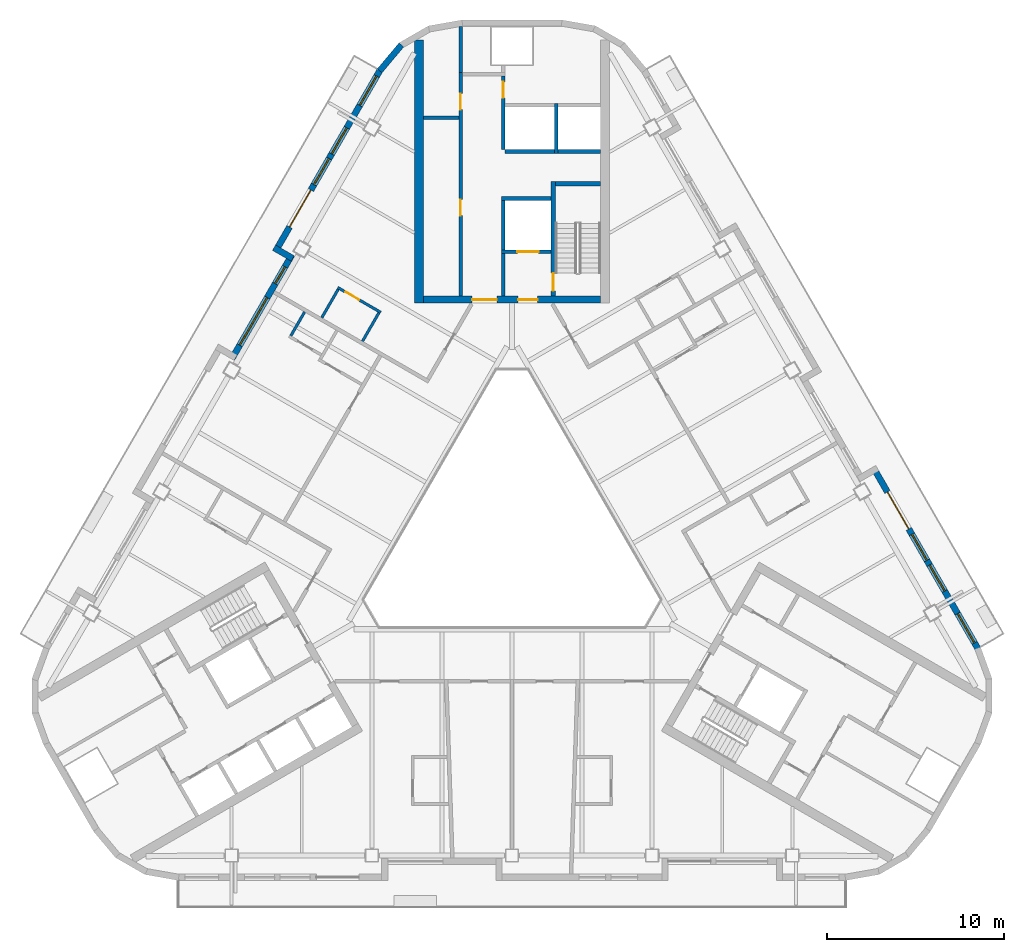
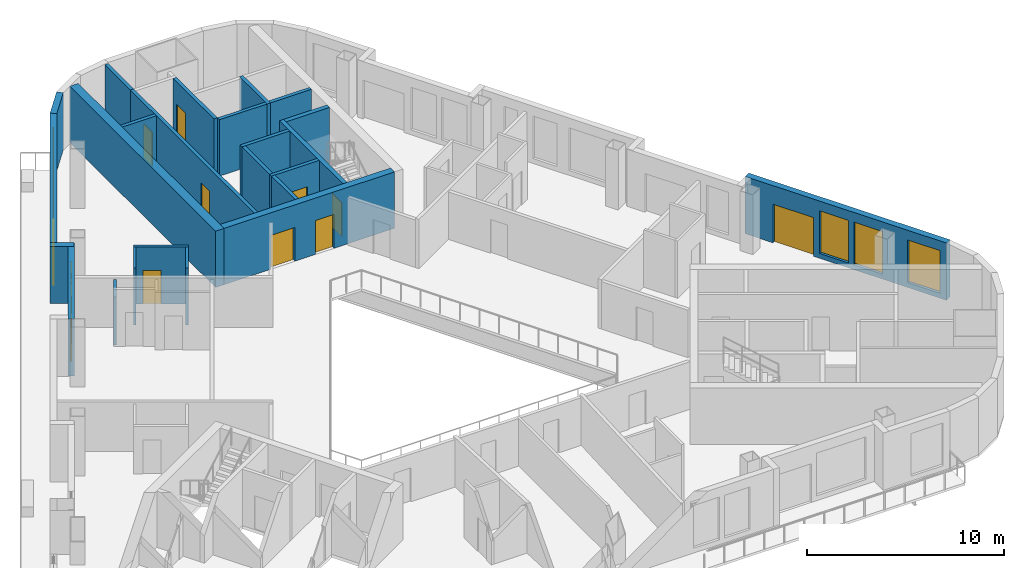
# One storey, part 6 of 13: 24 walls, 10 doors, 8 windows, 18 openings.
"""IFC4 building model written with IfcOpenShell, lengths in metres."""

from ifc_helpers import new_model, si_unit, direction, frame, frame_2d, origin, place, context, subcontext, project, spatial, rectangle, extrude, material, layer, layer_set, type_object, element, fill, save


model = new_model("IFC4")

# Units and contexts
model_context = context("Model", 3, precision=1e-05, world=origin(), true_north=direction((0.0, 1.0)))
body_context = subcontext(model_context, "Body", "Model", "MODEL_VIEW")
ifc_project = project(units=[si_unit("LENGTHUNIT", "METRE"), si_unit("AREAUNIT", "SQUARE_METRE"), si_unit("VOLUMEUNIT", "CUBIC_METRE"), si_unit("PLANEANGLEUNIT", "RADIAN"), si_unit("MASSUNIT", "GRAM", prefix="KILO")], contexts=[model_context])

# Site, building, storey
site_placement = place(None, origin())
site = spatial("IfcSite", under=ifc_project, at=site_placement, CompositionType="ELEMENT")
building_placement = place(site_placement, origin())
building = spatial("IfcBuilding", under=site, at=building_placement, Name="Apuvela Tower Hotel", CompositionType="ELEMENT")
storey_placement = place(building_placement, frame((0.0, 0.0, 187.300048828125)))
storey = spatial("IfcBuildingStorey", under=building, at=storey_placement, Name="L45", CompositionType="ELEMENT", Elevation=187.300048828125)

# Wall, openings, doors
ifc_material_1 = material(Name="Concrete C50/60", Category="concrete")
ifc_layer_1 = layer(ifc_material_1, 0.39990234375)
ifc_layer_set_1 = layer_set([ifc_layer_1], Name="COR-WALL-CORE-400")
wall_type_1 = type_object("IfcWallType", Name="COR-WALL-CORE-400", PredefinedType="SHEAR", material=ifc_layer_set_1)
wall_1_placement = place(storey_placement, frame((5.0, 13.10009765625, 0.0), z_axis=(0.0, 0.0, 1.0), x_axis=(-1.0, 0.0, 0.0)))
wall_1 = element("IfcWall", 1, at=wall_1_placement, inside=storey, type_object=wall_type_1, Name="Core wall N", PredefinedType="SHEAR", context=body_context, shape_type="SweptSolid", body=[
    extrude(rectangle(XDim=10.0, YDim=0.39990234375, at=frame_2d((5.0, 0.0))), origin(), (0.0, 0.0, 1.0), 3.5),
])
opening_1_placement = place(wall_1_placement, frame((3.550048828125, 0.0, 0.0)))
opening_1 = element("IfcOpeningElement", 2, at=opening_1_placement, cuts=wall_1, Name="Opening N-FD", PredefinedType="OPENING", context=body_context, shape_type="SweptSolid", body=[
    extrude(rectangle(XDim=1.10009765625, YDim=2.10009765625, at=frame_2d((0.550048828125, 1.050048828125))), frame((0.0, 0.2099609375, 0.0), z_axis=(0.0, -1.0, 0.0), x_axis=(1.0, 0.0, 0.0)), (0.0, 0.0, 1.0), 0.419921875),
])
opening_2_placement = place(wall_1_placement, frame((5.85009765625, 0.0, 0.0)))
opening_2 = element("IfcOpeningElement", 3, at=opening_2_placement, cuts=wall_1, Name="Opening N-GD", PredefinedType="OPENING", context=body_context, shape_type="SweptSolid", body=[
    extrude(rectangle(XDim=1.39990234375, YDim=2.10009765625, at=frame_2d((0.699951171875, 1.050048828125))), frame((0.0, 0.2099609375, 0.0), z_axis=(0.0, -1.0, 0.0), x_axis=(1.0, 0.0, 0.0)), (0.0, 0.0, 1.0), 0.419921875),
])
ifc_material_2 = material(Name="Steel fire door, powder coated", Category="steel")
door_type_1 = type_object("IfcDoorType", Name="COR-FD-1100", OperationType="NOTDEFINED", PredefinedType="DOOR", material=ifc_material_2)
door_1_placement = place(opening_1_placement, frame((1.10009765625, 0.0, 0.0), z_axis=(0.0, 0.0, 1.0), x_axis=(-1.0, 0.0, 0.0)))
door_1 = element("IfcDoor", 4, at=door_1_placement, inside=storey, type_object=door_type_1, Name="Firefighting lobby door N-FD", OperationType="SINGLE_SWING_LEFT", OverallHeight=2.10009765625, OverallWidth=1.10009765625, PredefinedType="DOOR", context=body_context, shape_type="SweptSolid", body=[
    extrude(rectangle(XDim=1.10009765625, YDim=2.10009765625, at=frame_2d((0.550048828125, 1.050048828125))), frame((0.0, 0.02490234375, 0.0), z_axis=(0.0, -1.0, 0.0), x_axis=(1.0, 0.0, 0.0)), (0.0, 0.0, 1.0), 0.050048828125),
])
fill(opening_1, door_1)
ifc_material_3 = material(Name="Glazed steel fire door", Category="steel")
door_type_2 = type_object("IfcDoorType", Name="COR-GD-1400", OperationType="DOUBLE_DOOR_SINGLE_SWING", PredefinedType="DOOR", material=ifc_material_3)
door_2_placement = place(opening_2_placement, frame((1.39990234375, 0.0, 0.0), z_axis=(0.0, 0.0, 1.0), x_axis=(-1.0, 0.0, 0.0)))
door_2 = element("IfcDoor", 5, at=door_2_placement, inside=storey, type_object=door_type_2, Name="Lift lobby door N-GD", OperationType="DOUBLE_DOOR_SINGLE_SWING", OverallHeight=2.10009765625, OverallWidth=1.39990234375, PredefinedType="DOOR", context=body_context, shape_type="SweptSolid", body=[
    extrude(rectangle(XDim=1.39990234375, YDim=2.10009765625, at=frame_2d((0.699951171875, 1.050048828125))), frame((0.0, 0.02490234375, 0.0), z_axis=(0.0, -1.0, 0.0), x_axis=(1.0, 0.0, 0.0)), (0.0, 0.0, 1.0), 0.050048828125),
])
fill(opening_2, door_2)

# Walls
ifc_layer_2 = layer(ifc_material_1, 0.5)
ifc_layer_set_2 = layer_set([ifc_layer_2], Name="COR-WALL-CORE-500")
wall_type_2 = type_object("IfcWallType", Name="COR-WALL-CORE-500", PredefinedType="SHEAR", material=ifc_layer_set_2)
wall_2_placement = place(storey_placement, frame((-5.25, 12.89990234375, 0.0), z_axis=(0.0, 0.0, 1.0), x_axis=(0.0, 1.0, 0.0)))
element("IfcWall", 6, at=wall_2_placement, inside=storey, type_object=wall_type_2, Name="Core wall N", PredefinedType="SHEAR", context=body_context, shape_type="SweptSolid", body=[
    extrude(rectangle(XDim=14.8369140625, YDim=0.5, at=frame_2d((7.41845703125, 0.0))), origin(), (0.0, 0.0, 1.0), 3.5),
])
ifc_material_4 = material(Name="Blockwork 200 mm plastered", Category="masonry")
ifc_layer_3 = layer(ifc_material_4, 0.199951171875)
ifc_layer_set_3 = layer_set([ifc_layer_3], Name="COR-WALL-PART-200")
wall_type_3 = type_object("IfcWallType", Name="COR-WALL-PART-200", PredefinedType="PARTITIONING", material=ifc_layer_set_3)
wall_3_placement = place(storey_placement, frame((5.0, 21.449951171875, 0.0), z_axis=(0.0, 0.0, 1.0), x_axis=(-1.0, 0.0, 0.0)))
element("IfcWall", 7, at=wall_3_placement, inside=storey, type_object=wall_type_3, Name="Partition N", PredefinedType="PARTITIONING", context=body_context, shape_type="SweptSolid", body=[
    extrude(rectangle(XDim=2.39990234375, YDim=0.199951171875, at=frame_2d((1.199951171875, 0.0))), origin(), (0.0, 0.0, 1.0), 3.5),
])
wall_4_placement = place(storey_placement, frame((2.39990234375, 21.449951171875, 0.0), z_axis=(0.0, 0.0, 1.0), x_axis=(-1.0, 0.0, 0.0)))
element("IfcWall", 8, at=wall_4_placement, inside=storey, type_object=wall_type_3, Name="Partition N", PredefinedType="PARTITIONING", context=body_context, shape_type="SweptSolid", body=[
    extrude(rectangle(XDim=2.7998046875, YDim=0.199951171875, at=frame_2d((1.39990234375, 0.0))), origin(), (0.0, 0.0, 1.0), 3.5),
])
ifc_layer_4 = layer(ifc_material_1, 0.199951171875)
ifc_layer_set_4 = layer_set([ifc_layer_4], Name="COR-WALL-SHAFT-200")
wall_type_4 = type_object("IfcWallType", Name="COR-WALL-SHAFT-200", PredefinedType="SHEAR", material=ifc_layer_set_4)
wall_5_placement = place(storey_placement, frame((2.199951171875, 18.800048828125, 0.0), z_axis=(0.0, 0.0, 1.0), x_axis=(-1.0, 0.0, 0.0)))
element("IfcWall", 9, at=wall_5_placement, inside=storey, type_object=wall_type_4, Name="Shaft wall N", PredefinedType="SHEAR", context=body_context, shape_type="SweptSolid", body=[
    extrude(rectangle(XDim=2.800048828125, YDim=0.199951171875, at=frame_2d((1.39990234375, 0.0))), origin(), (0.0, 0.0, 1.0), 3.5),
])

# Wall, opening, door
wall_6_placement = place(storey_placement, frame((2.199951171875, 15.800048828125, 0.0), z_axis=(0.0, 0.0, 1.0), x_axis=(-1.0, 0.0, 0.0)))
wall_6 = element("IfcWall", 10, at=wall_6_placement, inside=storey, type_object=wall_type_4, Name="Shaft wall N", PredefinedType="SHEAR", context=body_context, shape_type="SweptSolid", body=[
    extrude(rectangle(XDim=2.800048828125, YDim=0.199951171875, at=frame_2d((1.39990234375, 0.0))), origin(), (0.0, 0.0, 1.0), 3.5),
])
opening_3_placement = place(wall_6_placement, frame((0.699951171875, 0.0, 0.0)))
opening_3 = element("IfcOpeningElement", 11, at=opening_3_placement, cuts=wall_6, Name="Opening N-LD-FS1", PredefinedType="OPENING", context=body_context, shape_type="SweptSolid", body=[
    extrude(rectangle(XDim=1.199951171875, YDim=2.10009765625, at=frame_2d((0.60009765625, 1.050048828125))), frame((0.0, 0.10986328125, 0.0), z_axis=(0.0, -1.0, 0.0), x_axis=(1.0, 0.0, 0.0)), (0.0, 0.0, 1.0), 0.219970703125),
])
ifc_material_5 = material(Name="Stainless steel lift landing door", Category="steel")
door_type_3 = type_object("IfcDoorType", Name="COR-LD-1200", OperationType="DOUBLE_DOOR_SLIDING", PredefinedType="DOOR", material=ifc_material_5)
door_3_placement = place(opening_3_placement, origin())
door_3 = element("IfcDoor", 12, at=door_3_placement, inside=storey, type_object=door_type_3, Name="Lift landing door N-LD-FS1", OperationType="DOUBLE_DOOR_SLIDING", OverallHeight=2.10009765625, OverallWidth=1.199951171875, PredefinedType="DOOR", context=body_context, shape_type="SweptSolid", body=[
    extrude(rectangle(XDim=1.199951171875, YDim=2.10009765625, at=frame_2d((0.60009765625, 1.050048828125))), frame((0.0, 0.02490234375, 0.0), z_axis=(0.0, -1.0, 0.0), x_axis=(1.0, 0.0, 0.0)), (0.0, 0.0, 1.0), 0.050048828125),
])
fill(opening_3, door_3)

# Walls
wall_7_placement = place(storey_placement, frame((-0.5, 15.89990234375, 0.0), z_axis=(0.0, 0.0, 1.0), x_axis=(0.0, 1.0, 0.0)))
element("IfcWall", 13, at=wall_7_placement, inside=storey, type_object=wall_type_4, Name="Shaft wall N", PredefinedType="SHEAR", context=body_context, shape_type="SweptSolid", body=[
    extrude(rectangle(XDim=2.800048828125, YDim=0.199951171875, at=frame_2d((1.39990234375, 0.0))), origin(), (0.0, 0.0, 1.0), 3.5),
])
wall_8_placement = place(storey_placement, frame((-0.5, 13.300048828125, 0.0), z_axis=(0.0, 0.0, 1.0), x_axis=(0.0, 1.0, 0.0)))
element("IfcWall", 14, at=wall_8_placement, inside=storey, type_object=wall_type_4, Name="Shaft wall N", PredefinedType="SHEAR", context=body_context, shape_type="SweptSolid", body=[
    extrude(rectangle(XDim=2.39990234375, YDim=0.199951171875, at=frame_2d((1.199951171875, 0.0))), origin(), (0.0, 0.0, 1.0), 3.5),
])

# Wall, openings, doors
wall_9_placement = place(storey_placement, frame((-2.89990234375, 13.300048828125, 0.0), z_axis=(0.0, 0.0, 1.0), x_axis=(0.0, 1.0, 0.0)))
wall_9 = element("IfcWall", 15, at=wall_9_placement, inside=storey, type_object=wall_type_4, Name="Shaft wall N", PredefinedType="SHEAR", context=body_context, shape_type="SweptSolid", body=[
    extrude(rectangle(XDim=12.599853515625, YDim=0.199951171875, at=frame_2d((6.2998046875, 0.0))), origin(), (0.0, 0.0, 1.0), 3.5),
])
opening_4_placement = place(wall_9_placement, frame((4.530029296875, 0.0, 0.0)))
opening_4 = element("IfcOpeningElement", 16, at=opening_4_placement, cuts=wall_9, Name="Opening N-RE1", PredefinedType="OPENING", context=body_context, shape_type="SweptSolid", body=[
    extrude(rectangle(XDim=0.89990234375, YDim=2.10009765625, at=frame_2d((0.449951171875, 1.050048828125))), frame((0.0, 0.10986328125, 0.0), z_axis=(0.0, -1.0, 0.0), x_axis=(1.0, 0.0, 0.0)), (0.0, 0.0, 1.0), 0.219970703125),
])
opening_5_placement = place(wall_9_placement, frame((10.510009765625, 0.0, 0.0)))
opening_5 = element("IfcOpeningElement", 17, at=opening_5_placement, cuts=wall_9, Name="Opening N-REP", PredefinedType="OPENING", context=body_context, shape_type="SweptSolid", body=[
    extrude(rectangle(XDim=0.89990234375, YDim=2.10009765625, at=frame_2d((0.449951171875, 1.050048828125))), frame((0.0, 0.10986328125, 0.0), z_axis=(0.0, -1.0, 0.0), x_axis=(1.0, 0.0, 0.0)), (0.0, 0.0, 1.0), 0.219970703125),
])
door_type_4 = type_object("IfcDoorType", Name="COR-DR-900", OperationType="NOTDEFINED", PredefinedType="DOOR", material=ifc_material_2)
door_4_placement = place(opening_4_placement, origin())
door_4 = element("IfcDoor", 18, at=door_4_placement, inside=storey, type_object=door_type_4, Name="Store door N-RE1", OperationType="SINGLE_SWING_LEFT", OverallHeight=2.10009765625, OverallWidth=0.89990234375, PredefinedType="DOOR", context=body_context, shape_type="SweptSolid", body=[
    extrude(rectangle(XDim=0.89990234375, YDim=2.10009765625, at=frame_2d((0.449951171875, 1.050048828125))), frame((0.0, 0.02490234375, 0.0), z_axis=(0.0, -1.0, 0.0), x_axis=(1.0, 0.0, 0.0)), (0.0, 0.0, 1.0), 0.050048828125),
])
fill(opening_4, door_4)
door_5_placement = place(opening_5_placement, origin())
door_5 = element("IfcDoor", 19, at=door_5_placement, inside=storey, type_object=door_type_4, Name="Store door N-REP", OperationType="SINGLE_SWING_RIGHT", OverallHeight=2.10009765625, OverallWidth=0.89990234375, PredefinedType="DOOR", context=body_context, shape_type="SweptSolid", body=[
    extrude(rectangle(XDim=0.89990234375, YDim=2.10009765625, at=frame_2d((0.449951171875, 1.050048828125))), frame((0.0, 0.02490234375, 0.0), z_axis=(0.0, -1.0, 0.0), x_axis=(1.0, 0.0, 0.0)), (0.0, 0.0, 1.0), 0.050048828125),
])
fill(opening_5, door_5)

# Wall, opening, door
wall_10_placement = place(storey_placement, frame((-0.5, 21.550048828125, 0.0), z_axis=(0.0, 0.0, 1.0), x_axis=(0.0, 1.0, 0.0)))
wall_10 = element("IfcWall", 20, at=wall_10_placement, inside=storey, type_object=wall_type_4, Name="Shaft wall N", PredefinedType="SHEAR", context=body_context, shape_type="SweptSolid", body=[
    extrude(rectangle(XDim=4.14990234375, YDim=0.199951171875, at=frame_2d((2.074951171875, 0.0))), origin(), (0.0, 0.0, 1.0), 3.5),
])
opening_6_placement = place(wall_10_placement, frame((2.925048828125, 0.0, 0.0)))
opening_6 = element("IfcOpeningElement", 21, at=opening_6_placement, cuts=wall_10, Name="Opening N-RSP", PredefinedType="OPENING", context=body_context, shape_type="SweptSolid", body=[
    extrude(rectangle(XDim=0.89990234375, YDim=2.10009765625, at=frame_2d((0.449951171875, 1.050048828125))), frame((0.0, 0.10986328125, 0.0), z_axis=(0.0, -1.0, 0.0), x_axis=(1.0, 0.0, 0.0)), (0.0, 0.0, 1.0), 0.219970703125),
])
door_6_placement = place(opening_6_placement, frame((0.89990234375, 0.0, 0.0), z_axis=(0.0, 0.0, 1.0), x_axis=(-1.0, 0.0, 0.0)))
door_6 = element("IfcDoor", 22, at=door_6_placement, inside=storey, type_object=door_type_4, Name="Store door N-RSP", OperationType="SINGLE_SWING_LEFT", OverallHeight=2.10009765625, OverallWidth=0.89990234375, PredefinedType="DOOR", context=body_context, shape_type="SweptSolid", body=[
    extrude(rectangle(XDim=0.89990234375, YDim=2.10009765625, at=frame_2d((0.449951171875, 1.050048828125))), frame((0.0, 0.02490234375, 0.0), z_axis=(0.0, -1.0, 0.0), x_axis=(1.0, 0.0, 0.0)), (0.0, 0.0, 1.0), 0.050048828125),
])
fill(opening_6, door_6)

# Walls
wall_11_placement = place(storey_placement, frame((-3.0, 23.360107421875, 0.0), z_axis=(0.0, 0.0, 1.0), x_axis=(-1.0, 0.0, 0.0)))
element("IfcWall", 23, at=wall_11_placement, inside=storey, type_object=wall_type_4, Name="Shaft wall N", PredefinedType="SHEAR", context=body_context, shape_type="SweptSolid", body=[
    extrude(rectangle(XDim=2.0, YDim=0.199951171875, at=frame_2d((1.0, 0.0))), origin(), (0.0, 0.0, 1.0), 3.5),
])
wall_12_placement = place(storey_placement, frame((-2.89990234375, 25.89990234375, 0.0), z_axis=(0.0, 0.0, 1.0), x_axis=(0.0, 1.0, 0.0)))
element("IfcWall", 24, at=wall_12_placement, inside=storey, type_object=wall_type_4, Name="Shaft wall N", PredefinedType="SHEAR", context=body_context, shape_type="SweptSolid", body=[
    extrude(rectangle(XDim=2.60009765625, YDim=0.199951171875, at=frame_2d((1.300048828125, 0.0))), origin(), (0.0, 0.0, 1.0), 3.5),
])
wall_13_placement = place(storey_placement, frame((2.5, 21.35009765625, 0.0), z_axis=(0.0, 0.0, 1.0), x_axis=(0.0, 1.0, 0.0)))
element("IfcWall", 25, at=wall_13_placement, inside=storey, type_object=wall_type_4, Name="Shaft wall N", PredefinedType="SHEAR", context=body_context, shape_type="SweptSolid", body=[
    extrude(rectangle(XDim=2.7998046875, YDim=0.199951171875, at=frame_2d((1.39990234375, 0.0))), origin(), (0.0, 0.0, 1.0), 3.5),
])

# Wall, opening, door
ifc_layer_5 = layer(ifc_material_1, 0.25)
ifc_layer_set_5 = layer_set([ifc_layer_5], Name="COR-WALL-STAIR-250")
wall_type_5 = type_object("IfcWallType", Name="COR-WALL-STAIR-250", PredefinedType="SHEAR", material=ifc_layer_set_5)
wall_14_placement = place(storey_placement, frame((2.324951171875, 13.300048828125, 0.0), z_axis=(0.0, 0.0, 1.0), x_axis=(0.0, 1.0, 0.0)))
wall_14 = element("IfcWall", 26, at=wall_14_placement, inside=storey, type_object=wall_type_5, Name="Stair wall N", PredefinedType="SHEAR", context=body_context, shape_type="SweptSolid", body=[
    extrude(rectangle(XDim=6.449951171875, YDim=0.25, at=frame_2d((3.22509765625, 0.0))), origin(), (0.0, 0.0, 1.0), 3.5),
])
opening_7_placement = place(wall_14_placement, frame((0.300048828125, 0.0, 0.0)))
opening_7 = element("IfcOpeningElement", 27, at=opening_7_placement, cuts=wall_14, Name="Opening N-SD", PredefinedType="OPENING", context=body_context, shape_type="SweptSolid", body=[
    extrude(rectangle(XDim=1.0, YDim=2.10009765625, at=frame_2d((0.5, 1.050048828125))), frame((0.0, 0.135009765625, 0.0), z_axis=(0.0, -1.0, 0.0), x_axis=(1.0, 0.0, 0.0)), (0.0, 0.0, 1.0), 0.27001953125),
])
door_type_5 = type_object("IfcDoorType", Name="COR-SD-1000", OperationType="NOTDEFINED", PredefinedType="DOOR", material=ifc_material_2)
door_7_placement = place(opening_7_placement, frame((1.0, 0.0, 0.0), z_axis=(0.0, 0.0, 1.0), x_axis=(-1.0, 0.0, 0.0)))
door_7 = element("IfcDoor", 28, at=door_7_placement, inside=storey, type_object=door_type_5, Name="Stair door N-SD", OperationType="SINGLE_SWING_LEFT", OverallHeight=2.10009765625, OverallWidth=1.0, PredefinedType="DOOR", context=body_context, shape_type="SweptSolid", body=[
    extrude(rectangle(XDim=1.0, YDim=2.10009765625, at=frame_2d((0.5, 1.050048828125))), frame((0.0, 0.02490234375, 0.0), z_axis=(0.0, -1.0, 0.0), x_axis=(1.0, 0.0, 0.0)), (0.0, 0.0, 1.0), 0.050048828125),
])
fill(opening_7, door_7)

# Wall
wall_15_placement = place(storey_placement, frame((5.0, 19.625, 0.0), z_axis=(0.0, 0.0, 1.0), x_axis=(-1.0, 0.0, 0.0)))
element("IfcWall", 29, at=wall_15_placement, inside=storey, type_object=wall_type_5, Name="Stair wall N", PredefinedType="SHEAR", context=body_context, shape_type="SweptSolid", body=[
    extrude(rectangle(XDim=2.550048828125, YDim=0.25, at=frame_2d((1.27490234375, 0.0))), origin(), (0.0, 0.0, 1.0), 3.5),
])

# Wall, openings, door, windows
ifc_material_6 = material(Name="Concrete C40/50, dark pigmented precast panel", Category="concrete")
ifc_layer_6 = layer(ifc_material_6, 0.35009765625)
ifc_layer_set_6 = layer_set([ifc_layer_6], Name="ENV-WALL-350")
wall_type_6 = type_object("IfcWallType", Name="ENV-WALL-350", PredefinedType="SOLIDWALL", material=ifc_layer_set_6)
wall_16_placement = place(storey_placement, frame((-7.440673828125, 26.0224609375, 0.0), z_axis=(0.0, 0.0, 1.0), x_axis=(-0.499992533062, -0.86602971478, 0.0)))
wall_16 = element("IfcWall", 30, at=wall_16_placement, inside=storey, type_object=wall_type_6, Name="External wall L45-01", PredefinedType="SOLIDWALL", context=body_context, shape_type="SweptSolid", body=[
    extrude(rectangle(XDim=11.815673828125, YDim=0.35009765625, at=frame_2d((5.90771484375, 0.0))), origin(), (0.0, 0.0, 1.0), 3.550048828125),
])
opening_8_placement = place(wall_16_placement, frame((0.381103515625, 0.0, 0.300048828125)))
opening_8 = element("IfcOpeningElement", 31, at=opening_8_placement, cuts=wall_16, Name="Opening WN19", PredefinedType="OPENING", context=body_context, shape_type="SweptSolid", body=[
    extrude(rectangle(XDim=1.89990234375, YDim=2.64990234375, at=frame_2d((0.949951171875, 1.324951171875))), frame((0.0, 0.18505859375, 0.0), z_axis=(0.0, -1.0, 0.0), x_axis=(1.0, 0.0, 0.0)), (0.0, 0.0, 1.0), 0.3701171875),
])
opening_9_placement = place(wall_16_placement, frame((7.79052734375, 0.0, 0.0)))
opening_9 = element("IfcOpeningElement", 32, at=opening_9_placement, cuts=wall_16, Name="Opening BD24", PredefinedType="OPENING", context=body_context, shape_type="SweptSolid", body=[
    extrude(rectangle(XDim=2.39990234375, YDim=2.39990234375, at=frame_2d((1.199951171875, 1.199951171875))), frame((0.0, 0.18505859375, 0.0), z_axis=(0.0, -1.0, 0.0), x_axis=(1.0, 0.0, 0.0)), (0.0, 0.0, 1.0), 0.3701171875),
])
opening_10_placement = place(wall_16_placement, frame((3.7412109375, 0.0, 0.300048828125)))
opening_10 = element("IfcOpeningElement", 33, at=opening_10_placement, cuts=wall_16, Name="Opening WN17", PredefinedType="OPENING", context=body_context, shape_type="SweptSolid", body=[
    extrude(rectangle(XDim=1.699951171875, YDim=2.64990234375, at=frame_2d((0.85009765625, 1.324951171875))), frame((0.0, 0.18505859375, 0.0), z_axis=(0.0, -1.0, 0.0), x_axis=(1.0, 0.0, 0.0)), (0.0, 0.0, 1.0), 0.3701171875),
])
opening_11_placement = place(wall_16_placement, frame((5.7412109375, 0.0, 0.300048828125)))
opening_11 = element("IfcOpeningElement", 34, at=opening_11_placement, cuts=wall_16, Name="Opening WN17", PredefinedType="OPENING", context=body_context, shape_type="SweptSolid", body=[
    extrude(rectangle(XDim=1.699951171875, YDim=2.64990234375, at=frame_2d((0.85009765625, 1.324951171875))), frame((0.0, 0.18505859375, 0.0), z_axis=(0.0, -1.0, 0.0), x_axis=(1.0, 0.0, 0.0)), (0.0, 0.0, 1.0), 0.3701171875),
])
ifc_material_7 = material(Name="Aluminium 6063-T6, dark bronze anodised frame with dark tinted laminated glass", Category="aluminium")
door_type_6 = type_object("IfcDoorType", Name="ENV-DOOR-BALCONY-2400x2400", OperationType="SLIDING_TO_LEFT", PredefinedType="DOOR", material=ifc_material_7)
door_8_placement = place(opening_9_placement, frame((2.39990234375, 0.0, 0.0), z_axis=(0.0, 0.0, 1.0), x_axis=(-1.0, 0.0, 0.0)))
door_8 = element("IfcDoor", 35, at=door_8_placement, inside=storey, type_object=door_type_6, Name="Balcony door BD24", OperationType="SLIDING_TO_LEFT", OverallHeight=2.39990234375, OverallWidth=2.39990234375, PredefinedType="DOOR", context=body_context, shape_type="SweptSolid", body=[
    extrude(rectangle(XDim=2.39990234375, YDim=2.39990234375, at=frame_2d((1.199951171875, 1.199951171875))), frame((0.0, 0.02490234375, 0.0), z_axis=(0.0, -1.0, 0.0), x_axis=(1.0, 0.0, 0.0)), (0.0, 0.0, 1.0), 0.050048828125),
])
fill(opening_9, door_8)
ifc_material_8 = material(Name="Glass, dark tinted laminated insulated glazing unit", Category="glass")
window_type_1 = type_object("IfcWindowType", Name="ENV-WIN-1700x2650", PartitioningType="SINGLE_PANEL", PredefinedType="WINDOW", material=ifc_material_8)
window_1_placement = place(opening_10_placement, origin())
window_1 = element("IfcWindow", 36, at=window_1_placement, inside=storey, type_object=window_type_1, Name="Window WN17", OverallHeight=2.64990234375, OverallWidth=1.699951171875, PartitioningType="SINGLE_PANEL", PredefinedType="WINDOW", context=body_context, shape_type="SweptSolid", body=[
    extrude(rectangle(XDim=1.699951171875, YDim=2.64990234375, at=frame_2d((0.85009765625, 1.324951171875))), frame((0.0, 0.030029296875, 0.0), z_axis=(0.0, -1.0, 0.0), x_axis=(1.0, 0.0, 0.0)), (0.0, 0.0, 1.0), 0.06005859375),
])
fill(opening_10, window_1)
window_2_placement = place(opening_11_placement, origin())
window_2 = element("IfcWindow", 37, at=window_2_placement, inside=storey, type_object=window_type_1, Name="Window WN17", OverallHeight=2.64990234375, OverallWidth=1.699951171875, PartitioningType="SINGLE_PANEL", PredefinedType="WINDOW", context=body_context, shape_type="SweptSolid", body=[
    extrude(rectangle(XDim=1.699951171875, YDim=2.64990234375, at=frame_2d((0.85009765625, 1.324951171875))), frame((0.0, 0.030029296875, 0.0), z_axis=(0.0, -1.0, 0.0), x_axis=(1.0, 0.0, 0.0)), (0.0, 0.0, 1.0), 0.06005859375),
])
fill(opening_11, window_2)
window_type_2 = type_object("IfcWindowType", Name="ENV-WIN-1900x2650", PartitioningType="SINGLE_PANEL", PredefinedType="WINDOW", material=ifc_material_8)
window_3_placement = place(opening_8_placement, origin())
window_3 = element("IfcWindow", 38, at=window_3_placement, inside=storey, type_object=window_type_2, Name="Window WN19", OverallHeight=2.64990234375, OverallWidth=1.89990234375, PartitioningType="SINGLE_PANEL", PredefinedType="WINDOW", context=body_context, shape_type="SweptSolid", body=[
    extrude(rectangle(XDim=1.89990234375, YDim=2.64990234375, at=frame_2d((0.949951171875, 1.324951171875))), frame((0.0, 0.030029296875, 0.0), z_axis=(0.0, -1.0, 0.0), x_axis=(1.0, 0.0, 0.0)), (0.0, 0.0, 1.0), 0.06005859375),
])
fill(opening_8, window_3)

# Wall
wall_17_placement = place(storey_placement, frame((-13.41259765625, 16.02880859375, 0.0), z_axis=(0.0, 0.0, 1.0), x_axis=(0.866005645448, -0.500034220881, 0.0)))
element("IfcWall", 39, at=wall_17_placement, inside=storey, type_object=wall_type_6, Name="External wall L45-02", PredefinedType="SOLIDWALL", context=body_context, shape_type="SweptSolid", body=[
    extrude(rectangle(XDim=1.22021484375, YDim=0.35009765625, at=frame_2d((0.610107421875, 0.0))), origin(), (0.0, 0.0, 1.0), 3.550048828125),
])

# Wall, openings, windows
wall_18_placement = place(storey_placement, frame((-12.408935546875, 15.616943359375, 0.0), z_axis=(0.0, 0.0, 1.0), x_axis=(-0.500003597184, -0.866023326939, 0.0)))
wall_18 = element("IfcWall", 40, at=wall_18_placement, inside=storey, type_object=wall_type_6, Name="External wall L45-03", PredefinedType="SOLIDWALL", context=body_context, shape_type="SweptSolid", body=[
    extrude(rectangle(XDim=6.740234375, YDim=0.35009765625, at=frame_2d((3.3701171875, 0.0))), origin(), (0.0, 0.0, 1.0), 3.550048828125),
])
opening_12_placement = place(wall_18_placement, frame((0.77001953125, 0.0, 0.300048828125)))
opening_12 = element("IfcOpeningElement", 41, at=opening_12_placement, cuts=wall_18, Name="Opening WN11", PredefinedType="OPENING", context=body_context, shape_type="SweptSolid", body=[
    extrude(rectangle(XDim=1.10009765625, YDim=2.64990234375, at=frame_2d((0.550048828125, 1.324951171875))), frame((0.0, 0.18505859375, 0.0), z_axis=(0.0, -1.0, 0.0), x_axis=(1.0, 0.0, 0.0)), (0.0, 0.0, 1.0), 0.3701171875),
])
opening_13_placement = place(wall_18_placement, frame((2.770263671875, 0.0, 0.300048828125)))
opening_13 = element("IfcOpeningElement", 42, at=opening_13_placement, cuts=wall_18, Name="Opening WN31", PredefinedType="OPENING", context=body_context, shape_type="SweptSolid", body=[
    extrude(rectangle(XDim=3.10009765625, YDim=2.64990234375, at=frame_2d((1.550048828125, 1.324951171875))), frame((0.0, 0.18505859375, 0.0), z_axis=(0.0, -1.0, 0.0), x_axis=(1.0, 0.0, 0.0)), (0.0, 0.0, 1.0), 0.3701171875),
])
window_type_3 = type_object("IfcWindowType", Name="ENV-WIN-1100x2650", PartitioningType="SINGLE_PANEL", PredefinedType="WINDOW", material=ifc_material_8)
window_4_placement = place(opening_12_placement, origin())
window_4 = element("IfcWindow", 43, at=window_4_placement, inside=storey, type_object=window_type_3, Name="Window WN11", OverallHeight=2.64990234375, OverallWidth=1.10009765625, PartitioningType="SINGLE_PANEL", PredefinedType="WINDOW", context=body_context, shape_type="SweptSolid", body=[
    extrude(rectangle(XDim=1.10009765625, YDim=2.64990234375, at=frame_2d((0.550048828125, 1.324951171875))), frame((0.0, 0.030029296875, 0.0), z_axis=(0.0, -1.0, 0.0), x_axis=(1.0, 0.0, 0.0)), (0.0, 0.0, 1.0), 0.06005859375),
])
fill(opening_12, window_4)
window_type_4 = type_object("IfcWindowType", Name="ENV-WIN-3100x2650", PartitioningType="SINGLE_PANEL", PredefinedType="WINDOW", material=ifc_material_8)
window_5_placement = place(opening_13_placement, origin())
window_5 = element("IfcWindow", 44, at=window_5_placement, inside=storey, type_object=window_type_4, Name="Window WN31", OverallHeight=2.64990234375, OverallWidth=3.10009765625, PartitioningType="SINGLE_PANEL", PredefinedType="WINDOW", context=body_context, shape_type="SweptSolid", body=[
    extrude(rectangle(XDim=3.10009765625, YDim=2.64990234375, at=frame_2d((1.550048828125, 1.324951171875))), frame((0.0, 0.030029296875, 0.0), z_axis=(0.0, -1.0, 0.0), x_axis=(1.0, 0.0, 0.0)), (0.0, 0.0, 1.0), 0.06005859375),
])
fill(opening_13, window_5)

# Wall, openings, door, windows
wall_19_placement = place(storey_placement, frame((26.256591796875, -6.5673828125, 0.0), z_axis=(0.0, 0.0, 1.0), x_axis=(-0.500023526245, 0.866011820475, 0.0)))
wall_19 = element("IfcWall", 45, at=wall_19_placement, inside=storey, type_object=wall_type_6, Name="External wall L45-33", PredefinedType="SOLIDWALL", context=body_context, shape_type="SweptSolid", body=[
    extrude(rectangle(XDim=11.81591796875, YDim=0.35009765625, at=frame_2d((5.907958984375, 0.0))), origin(), (0.0, 0.0, 1.0), 3.550048828125),
])
opening_14_placement = place(wall_19_placement, frame((0.380126953125, 0.0, 0.300048828125)))
opening_14 = element("IfcOpeningElement", 46, at=opening_14_placement, cuts=wall_19, Name="Opening WN19", PredefinedType="OPENING", context=body_context, shape_type="SweptSolid", body=[
    extrude(rectangle(XDim=1.89990234375, YDim=2.64990234375, at=frame_2d((0.949951171875, 1.324951171875))), frame((0.0, 0.18505859375, 0.0), z_axis=(0.0, -1.0, 0.0), x_axis=(1.0, 0.0, 0.0)), (0.0, 0.0, 1.0), 0.3701171875),
])
opening_15_placement = place(wall_19_placement, frame((7.791015625, 0.0, 0.0)))
opening_15 = element("IfcOpeningElement", 47, at=opening_15_placement, cuts=wall_19, Name="Opening BD24", PredefinedType="OPENING", context=body_context, shape_type="SweptSolid", body=[
    extrude(rectangle(XDim=2.39990234375, YDim=2.39990234375, at=frame_2d((1.199951171875, 1.199951171875))), frame((0.0, 0.18505859375, 0.0), z_axis=(0.0, -1.0, 0.0), x_axis=(1.0, 0.0, 0.0)), (0.0, 0.0, 1.0), 0.3701171875),
])
opening_16_placement = place(wall_19_placement, frame((3.74072265625, 0.0, 0.300048828125)))
opening_16 = element("IfcOpeningElement", 48, at=opening_16_placement, cuts=wall_19, Name="Opening WN17", PredefinedType="OPENING", context=body_context, shape_type="SweptSolid", body=[
    extrude(rectangle(XDim=1.699951171875, YDim=2.64990234375, at=frame_2d((0.85009765625, 1.324951171875))), frame((0.0, 0.18505859375, 0.0), z_axis=(0.0, -1.0, 0.0), x_axis=(1.0, 0.0, 0.0)), (0.0, 0.0, 1.0), 0.3701171875),
])
opening_17_placement = place(wall_19_placement, frame((5.74072265625, 0.0, 0.300048828125)))
opening_17 = element("IfcOpeningElement", 49, at=opening_17_placement, cuts=wall_19, Name="Opening WN17", PredefinedType="OPENING", context=body_context, shape_type="SweptSolid", body=[
    extrude(rectangle(XDim=1.699951171875, YDim=2.64990234375, at=frame_2d((0.85009765625, 1.324951171875))), frame((0.0, 0.18505859375, 0.0), z_axis=(0.0, -1.0, 0.0), x_axis=(1.0, 0.0, 0.0)), (0.0, 0.0, 1.0), 0.3701171875),
])
door_9_placement = place(opening_15_placement, frame((2.39990234375, 0.0, 0.0), z_axis=(0.0, 0.0, 1.0), x_axis=(-1.0, 0.0, 0.0)))
door_9 = element("IfcDoor", 50, at=door_9_placement, inside=storey, type_object=door_type_6, Name="Balcony door BD24", OperationType="SLIDING_TO_LEFT", OverallHeight=2.39990234375, OverallWidth=2.39990234375, PredefinedType="DOOR", context=body_context, shape_type="SweptSolid", body=[
    extrude(rectangle(XDim=2.39990234375, YDim=2.39990234375, at=frame_2d((1.199951171875, 1.199951171875))), frame((0.0, 0.02490234375, 0.0), z_axis=(0.0, -1.0, 0.0), x_axis=(1.0, 0.0, 0.0)), (0.0, 0.0, 1.0), 0.050048828125),
])
fill(opening_15, door_9)
window_6_placement = place(opening_16_placement, origin())
window_6 = element("IfcWindow", 51, at=window_6_placement, inside=storey, type_object=window_type_1, Name="Window WN17", OverallHeight=2.64990234375, OverallWidth=1.699951171875, PartitioningType="SINGLE_PANEL", PredefinedType="WINDOW", context=body_context, shape_type="SweptSolid", body=[
    extrude(rectangle(XDim=1.699951171875, YDim=2.64990234375, at=frame_2d((0.85009765625, 1.324951171875))), frame((0.0, 0.030029296875, 0.0), z_axis=(0.0, -1.0, 0.0), x_axis=(1.0, 0.0, 0.0)), (0.0, 0.0, 1.0), 0.06005859375),
])
fill(opening_16, window_6)
window_7_placement = place(opening_17_placement, origin())
window_7 = element("IfcWindow", 52, at=window_7_placement, inside=storey, type_object=window_type_1, Name="Window WN17", OverallHeight=2.64990234375, OverallWidth=1.699951171875, PartitioningType="SINGLE_PANEL", PredefinedType="WINDOW", context=body_context, shape_type="SweptSolid", body=[
    extrude(rectangle(XDim=1.699951171875, YDim=2.64990234375, at=frame_2d((0.85009765625, 1.324951171875))), frame((0.0, 0.030029296875, 0.0), z_axis=(0.0, -1.0, 0.0), x_axis=(1.0, 0.0, 0.0)), (0.0, 0.0, 1.0), 0.06005859375),
])
fill(opening_17, window_7)
window_8_placement = place(opening_14_placement, origin())
window_8 = element("IfcWindow", 53, at=window_8_placement, inside=storey, type_object=window_type_2, Name="Window WN19", OverallHeight=2.64990234375, OverallWidth=1.89990234375, PartitioningType="SINGLE_PANEL", PredefinedType="WINDOW", context=body_context, shape_type="SweptSolid", body=[
    extrude(rectangle(XDim=1.89990234375, YDim=2.64990234375, at=frame_2d((0.949951171875, 1.324951171875))), frame((0.0, 0.030029296875, 0.0), z_axis=(0.0, -1.0, 0.0), x_axis=(1.0, 0.0, 0.0)), (0.0, 0.0, 1.0), 0.06005859375),
])
fill(opening_14, window_8)

# Wall
wall_20_placement = place(storey_placement, frame((-6.230224609375, 27.460693359375, 0.0), z_axis=(0.0, 0.0, 1.0), x_axis=(-0.642808304945, -0.766027077259, 0.0)))
element("IfcWall", 54, at=wall_20_placement, inside=storey, type_object=wall_type_6, Name="External wall L45-48", PredefinedType="SOLIDWALL", context=body_context, shape_type="SweptSolid", body=[
    extrude(rectangle(XDim=1.909912109375, YDim=0.35009765625, at=frame_2d((0.955078125, 0.0))), origin(), (0.0, 0.0, 1.0), 3.550048828125),
])

# Wall, opening, door
ifc_material_9 = material(Name="Moisture-resistant gypsum board wet wall on steel stud", Category="steel")
ifc_layer_7 = layer(ifc_material_9, 0.14990234375)
ifc_layer_set_7 = layer_set([ifc_layer_7], Name="GST-PW3")
wall_type_7 = type_object("IfcWallType", Name="GST-PW3", PredefinedType="PARTITIONING", material=ifc_layer_set_7)
wall_21_placement = place(storey_placement, frame((-7.3994140625, 12.3837890625, 0.0), z_axis=(0.0, 0.0, 1.0), x_axis=(-0.866034573852, 0.49998411664, 0.0)))
wall_21 = element("IfcWall", 55, at=wall_21_placement, inside=storey, type_object=wall_type_7, Name="L45 partition 32", PredefinedType="PARTITIONING", context=body_context, shape_type="SweptSolid", body=[
    extrude(rectangle(XDim=2.7998046875, YDim=0.14990234375, at=frame_2d((1.39990234375, 0.0))), origin(), (0.0, 0.0, 1.0), 3.550048828125),
])
opening_18_placement = place(wall_21_placement, frame((1.39990234375, 0.0, 0.0)))
opening_18 = element("IfcOpeningElement", 56, at=opening_18_placement, cuts=wall_21, Name="Opening GD17-14", PredefinedType="OPENING", context=body_context, shape_type="SweptSolid", body=[
    extrude(rectangle(XDim=0.89990234375, YDim=2.10009765625, at=frame_2d((0.449951171875, 1.050048828125))), frame((0.0, 0.0849609375, 0.0), z_axis=(0.0, -1.0, 0.0), x_axis=(1.0, 0.0, 0.0)), (0.0, 0.0, 1.0), 0.169921875),
])
ifc_material_10 = material(Name="Timber door leaf in steel frame", Category="steel")
door_type_7 = type_object("IfcDoorType", Name="GST-D2", OperationType="NOTDEFINED", PredefinedType="DOOR", material=ifc_material_10)
door_10_placement = place(opening_18_placement, origin())
door_10 = element("IfcDoor", 57, at=door_10_placement, inside=storey, type_object=door_type_7, Name="Door L45-14", OperationType="SINGLE_SWING_RIGHT", OverallHeight=2.10009765625, OverallWidth=0.89990234375, PredefinedType="DOOR", context=body_context, shape_type="SweptSolid", body=[
    extrude(rectangle(XDim=0.89990234375, YDim=2.10009765625, at=frame_2d((0.449951171875, 1.050048828125))), frame((0.0, 0.02490234375, 0.0), z_axis=(0.0, -1.0, 0.0), x_axis=(1.0, 0.0, 0.0)), (0.0, 0.0, 1.0), 0.050048828125),
])
fill(opening_18, door_10)

# Walls
for number, where, z_axis, x_axis, name in (
    (58, (-9.796875, 13.681396484375, 0.0), (0.0, 0.0, 1.0), (-0.499886193382, -0.866091100096, 0.0), "L45 partition 33"),
    (59, (-7.501953125, 12.3564453125, 0.0), (0.0, 0.0, 1.0), (-0.499985172903, -0.866033964044, 0.0), "L45 partition 34"),
):
    element("IfcWall", number, at=place(storey_placement, frame(where, z_axis=z_axis, x_axis=x_axis)), inside=storey, type_object=wall_type_7, Name=name, PredefinedType="PARTITIONING", context=body_context, shape_type="SweptSolid", body=[
        extrude(rectangle(XDim=1.85009765625, YDim=0.14990234375, at=frame_2d((0.925048828125, 0.0))), origin(), (0.0, 0.0, 1.0), 3.550048828125),
    ])
wall_22_placement = place(storey_placement, frame((-11.68798828125, 12.406005859375, 0.0), z_axis=(0.0, 0.0, 1.0), x_axis=(-0.499967891604, -0.866043940782, 0.0)))
element("IfcWall", 60, at=wall_22_placement, inside=storey, type_object=wall_type_7, Name="L45 partition 39", PredefinedType="PARTITIONING", context=body_context, shape_type="SweptSolid", body=[
    extrude(rectangle(XDim=1.5498046875, YDim=0.14990234375, at=frame_2d((0.77490234375, 0.0))), origin(), (0.0, 0.0, 1.0), 2.949951171875),
])

save(model, "model.ifc")
